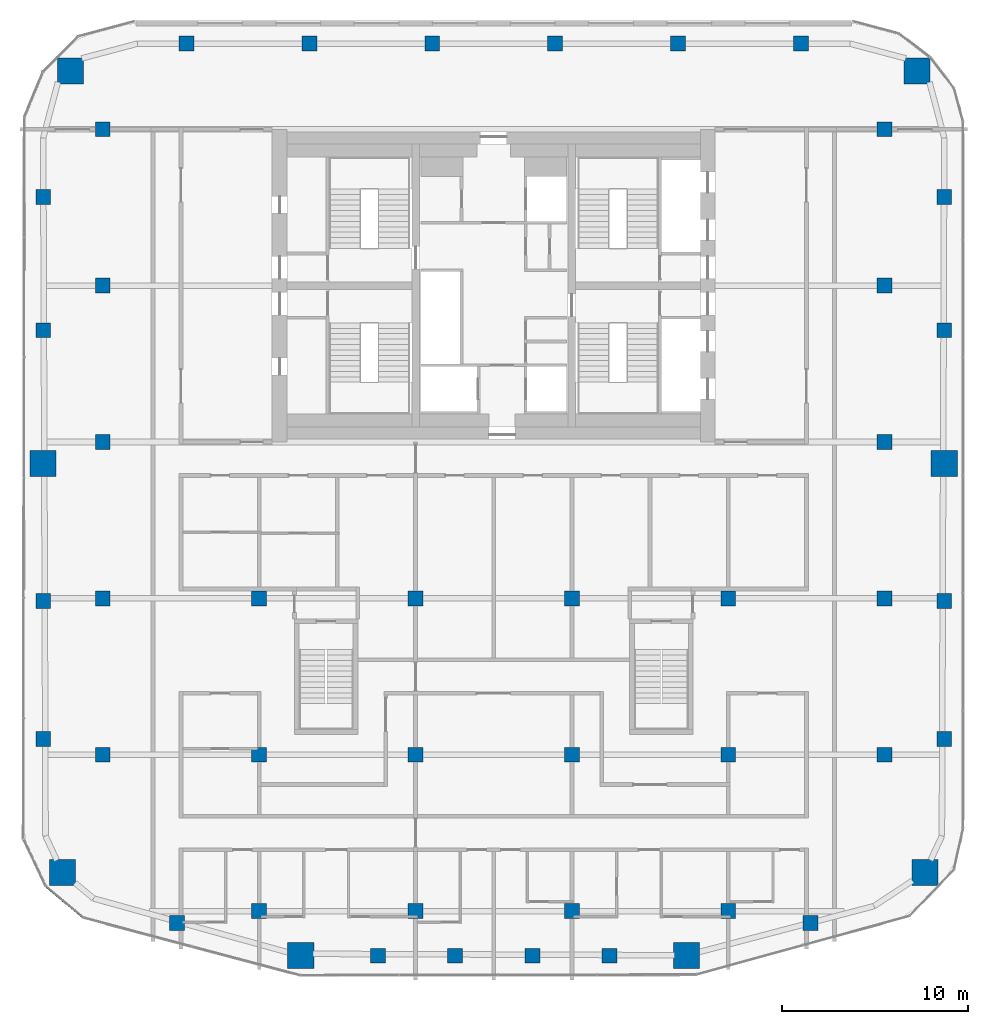
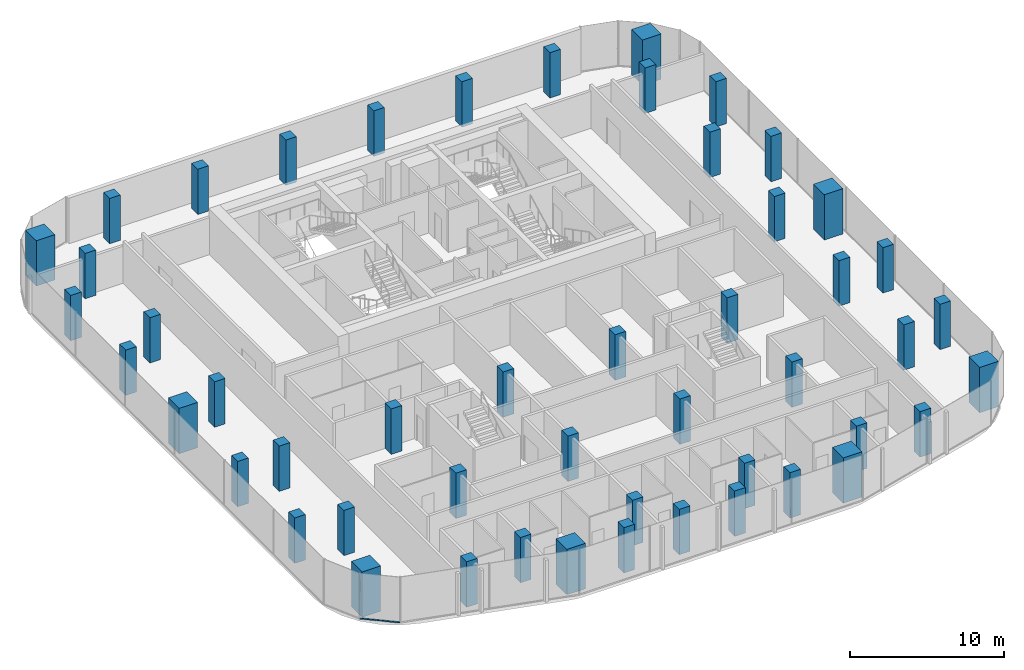
# One storey, part 1 of 20: 50 columns, 1 member, 1 element without a shape of its own.
"""IFC4 building model written with IfcOpenShell, lengths in metres."""

from ifc_helpers import new_model, si_unit, direction, frame, origin, origin_2d, place, context, subcontext, project, spatial, rectangle, extrude, material, layer, layer_set, material_profile, profile_set, type_object, element, aggregate, save


model = new_model("IFC4")

# Units and contexts
model_context = context("Model", 3, precision=1e-05, world=origin(), true_north=direction((0.0, 1.0)))
body_context = subcontext(model_context, "Body", "Model", "MODEL_VIEW")
ifc_project = project(units=[si_unit("LENGTHUNIT", "METRE"), si_unit("AREAUNIT", "SQUARE_METRE"), si_unit("VOLUMEUNIT", "CUBIC_METRE"), si_unit("PLANEANGLEUNIT", "RADIAN"), si_unit("MASSUNIT", "GRAM", prefix="KILO")], contexts=[model_context])

# Site, building, storey
site_placement = place(None, origin())
site = spatial("IfcSite", under=ifc_project, at=site_placement, CompositionType="ELEMENT")
building_placement = place(site_placement, origin())
building = spatial("IfcBuilding", under=site, at=building_placement, Name="Marenta Gate Hotel Tower", CompositionType="ELEMENT")
storey_placement = place(building_placement, frame((0.0, 0.0, 216.5)))
storey = spatial("IfcBuildingStorey", under=building, at=storey_placement, Name="L50", CompositionType="ELEMENT", Elevation=216.5)

# Columns
ifc_material_1 = material(Name="Concrete C60", Category="concrete")
ifc_material_profile_1 = material_profile(ifc_material_1, rectangle(XDim=0.800048828125, YDim=0.800048828125, at=origin_2d()), Name="800 x 800")
ifc_profile_set_1 = profile_set([ifc_material_profile_1], Name="Concrete C60")
column_type_1 = type_object("IfcColumnType", Name="Edge column 800 x 800 C60", PredefinedType="COLUMN", material=ifc_profile_set_1)
for number, where, z_axis, x_axis, name in (
    (1, (-24.199951171875, -15.951904296875, 0.0), (0.0, 0.0, 1.0), (1.0, 0.0, 0.0), "L50-EC-SW-W-1"),
    (2, (-24.199951171875, -8.55078125, 0.0), (0.0, 0.0, 1.0), (1.0, 0.0, 0.0), "L50-EC-SW-W-2"),
    (3, (-24.199951171875, 6.003173828125, 0.0), (0.0, 0.0, 1.0), (1.0, 0.0, 0.0), "L50-EC-W-NW-1"),
    (4, (-24.199951171875, 13.156494140625, 0.0), (0.0, 0.0, 1.0), (1.0, 0.0, 0.0), "L50-EC-W-NW-2"),
    (5, (-16.5068359375, 21.39990234375, 0.0), (0.0, 0.0, 1.0), (1.0, 0.0, 0.0), "L50-EC-NW-NE-1"),
    (6, (-9.904052734375, 21.39990234375, 0.0), (0.0, 0.0, 1.0), (1.0, 0.0, 0.0), "L50-EC-NW-NE-2"),
    (7, (-3.301513671875, 21.39990234375, 0.0), (0.0, 0.0, 1.0), (1.0, 0.0, 0.0), "L50-EC-NW-NE-3"),
    (8, (3.301513671875, 21.39990234375, 0.0), (0.0, 0.0, 1.0), (1.0, 0.0, 0.0), "L50-EC-NW-NE-4"),
    (9, (9.904052734375, 21.39990234375, 0.0), (0.0, 0.0, 1.0), (1.0, 0.0, 0.0), "L50-EC-NW-NE-5"),
    (10, (16.5068359375, 21.39990234375, 0.0), (0.0, 0.0, 1.0), (1.0, 0.0, 0.0), "L50-EC-NW-NE-6"),
    (11, (24.199951171875, 13.156494140625, 0.0), (0.0, 0.0, 1.0), (1.0, 0.0, 0.0), "L50-EC-NE-E-1"),
    (12, (24.199951171875, 6.003173828125, 0.0), (0.0, 0.0, 1.0), (1.0, 0.0, 0.0), "L50-EC-NE-E-2"),
    (13, (24.199951171875, -8.55078125, 0.0), (0.0, 0.0, 1.0), (1.0, 0.0, 0.0), "L50-EC-E-SE-1"),
    (14, (24.199951171875, -15.951904296875, 0.0), (0.0, 0.0, 1.0), (1.0, 0.0, 0.0), "L50-EC-E-SE-2"),
    (15, (17.0068359375, -25.839111328125, 0.0), (0.0, 0.0, 1.0), (1.0, 0.0, 0.0), "L50-EC-SE-SKE-1"),
    (16, (6.22021484375, -27.60009765625, 0.0), (0.0, 0.0, 1.0), (1.0, 0.0, 0.0), "L50-EC-SKE-SKW-1"),
    (17, (2.073486328125, -27.60009765625, 0.0), (0.0, 0.0, 1.0), (1.0, 0.0, 0.0), "L50-EC-SKE-SKW-2"),
    (18, (-2.073486328125, -27.60009765625, 0.0), (0.0, 0.0, 1.0), (1.0, 0.0, 0.0), "L50-EC-SKE-SKW-3"),
    (19, (-6.22021484375, -27.60009765625, 0.0), (0.0, 0.0, 1.0), (1.0, 0.0, 0.0), "L50-EC-SKE-SKW-4"),
    (20, (-17.0068359375, -25.839111328125, 0.0), (0.0, 0.0, 1.0), (1.0, 0.0, 0.0), "L50-EC-SKW-SW-1"),
):
    element("IfcColumn", number, at=place(storey_placement, frame(where, z_axis=z_axis, x_axis=x_axis)), inside=storey, type_object=column_type_1, Name=name, PredefinedType="COLUMN", context=body_context, shape_type="SweptSolid", body=[
        extrude(rectangle(XDim=0.800048828125, YDim=0.800048828125, at=origin_2d()), origin(), (0.0, 0.0, 1.0), 3.60009765625),
    ])
ifc_material_2 = material(Name="Concrete C60", Category="concrete")
ifc_material_profile_2 = material_profile(ifc_material_2, rectangle(XDim=0.800048828125, YDim=0.800048828125, at=origin_2d()), Name="800 x 800")
ifc_profile_set_2 = profile_set([ifc_material_profile_2], Name="Concrete C60")
column_type_2 = type_object("IfcColumnType", Name="Interior column 800 x 800 C60", PredefinedType="COLUMN", material=ifc_profile_set_2)
for number, where, z_axis, x_axis, name in (
    (21, (-21.0, -16.800048828125, 0.0), (0.0, 0.0, 1.0), (1.0, 0.0, 0.0), "L50-IC-4D"),
    (22, (-21.0, -8.39990234375, 0.0), (0.0, 0.0, 1.0), (1.0, 0.0, 0.0), "L50-IC-4E"),
    (23, (-21.0, 0.0, 0.0), (0.0, 0.0, 1.0), (1.0, 0.0, 0.0), "L50-IC-4F"),
    (24, (-21.0, 8.39990234375, 0.0), (0.0, 0.0, 1.0), (1.0, 0.0, 0.0), "L50-IC-4G"),
    (25, (-21.0, 16.800048828125, 0.0), (0.0, 0.0, 1.0), (1.0, 0.0, 0.0), "L50-IC-4H"),
    (26, (-12.60009765625, -25.199951171875, 0.0), (0.0, 0.0, 1.0), (1.0, 0.0, 0.0), "L50-IC-5C"),
    (27, (-12.60009765625, -16.800048828125, 0.0), (0.0, 0.0, 1.0), (1.0, 0.0, 0.0), "L50-IC-5D"),
    (28, (-12.60009765625, -8.39990234375, 0.0), (0.0, 0.0, 1.0), (1.0, 0.0, 0.0), "L50-IC-5E"),
    (29, (-4.199951171875, -25.199951171875, 0.0), (0.0, 0.0, 1.0), (1.0, 0.0, 0.0), "L50-IC-6C"),
    (30, (-4.199951171875, -16.800048828125, 0.0), (0.0, 0.0, 1.0), (1.0, 0.0, 0.0), "L50-IC-6D"),
    (31, (-4.199951171875, -8.39990234375, 0.0), (0.0, 0.0, 1.0), (1.0, 0.0, 0.0), "L50-IC-6E"),
    (32, (4.199951171875, -25.199951171875, 0.0), (0.0, 0.0, 1.0), (1.0, 0.0, 0.0), "L50-IC-7C"),
    (33, (4.199951171875, -16.800048828125, 0.0), (0.0, 0.0, 1.0), (1.0, 0.0, 0.0), "L50-IC-7D"),
    (34, (4.199951171875, -8.39990234375, 0.0), (0.0, 0.0, 1.0), (1.0, 0.0, 0.0), "L50-IC-7E"),
    (35, (12.60009765625, -25.199951171875, 0.0), (0.0, 0.0, 1.0), (1.0, 0.0, 0.0), "L50-IC-8C"),
    (36, (12.60009765625, -16.800048828125, 0.0), (0.0, 0.0, 1.0), (1.0, 0.0, 0.0), "L50-IC-8D"),
    (37, (12.60009765625, -8.39990234375, 0.0), (0.0, 0.0, 1.0), (1.0, 0.0, 0.0), "L50-IC-8E"),
    (38, (21.0, -16.800048828125, 0.0), (0.0, 0.0, 1.0), (1.0, 0.0, 0.0), "L50-IC-9D"),
    (39, (21.0, -8.39990234375, 0.0), (0.0, 0.0, 1.0), (1.0, 0.0, 0.0), "L50-IC-9E"),
    (40, (21.0, 0.0, 0.0), (0.0, 0.0, 1.0), (1.0, 0.0, 0.0), "L50-IC-9F"),
    (41, (21.0, 8.39990234375, 0.0), (0.0, 0.0, 1.0), (1.0, 0.0, 0.0), "L50-IC-9G"),
    (42, (21.0, 16.800048828125, 0.0), (0.0, 0.0, 1.0), (1.0, 0.0, 0.0), "L50-IC-9H"),
):
    element("IfcColumn", number, at=place(storey_placement, frame(where, z_axis=z_axis, x_axis=x_axis)), inside=storey, type_object=column_type_2, Name=name, PredefinedType="COLUMN", context=body_context, shape_type="SweptSolid", body=[
        extrude(rectangle(XDim=0.800048828125, YDim=0.800048828125, at=origin_2d()), origin(), (0.0, 0.0, 1.0), 3.60009765625),
    ])
ifc_material_3 = material(Name="Concrete C60", Category="concrete")
ifc_material_profile_3 = material_profile(ifc_material_3, rectangle(XDim=1.39990234375, YDim=1.39990234375, at=origin_2d()), Name="1400 x 1400")
ifc_profile_set_3 = profile_set([ifc_material_profile_3], Name="Concrete C60")
column_type_3 = type_object("IfcColumnType", Name="Mega column 1400 x 1400 C60", PredefinedType="COLUMN", material=ifc_profile_set_3)
for number, where, z_axis, x_axis, name in (
    (43, (-23.1630859375, -23.133056640625, 0.0), (0.0, 0.0, 1.0), (1.0, 0.0, 0.0), "L50-MC-SW"),
    (44, (-10.3662109375, -27.57470703125, 0.0), (0.0, 0.0, 1.0), (1.0, 0.0, 0.0), "L50-MC-SKW"),
    (45, (10.3662109375, -27.57470703125, 0.0), (0.0, 0.0, 1.0), (1.0, 0.0, 0.0), "L50-MC-SKE"),
    (46, (23.1630859375, -23.133056640625, 0.0), (0.0, 0.0, 1.0), (1.0, 0.0, 0.0), "L50-MC-SE"),
    (47, (24.199951171875, -1.14990234375, 0.0), (0.0, 0.0, 1.0), (1.0, 0.0, 0.0), "L50-MC-E"),
    (48, (22.735595703125, 19.935546875, 0.0), (0.0, 0.0, 1.0), (1.0, 0.0, 0.0), "L50-MC-NE"),
    (49, (-22.735595703125, 19.935546875, 0.0), (0.0, 0.0, 1.0), (1.0, 0.0, 0.0), "L50-MC-NW"),
    (50, (-24.199951171875, -1.14990234375, 0.0), (0.0, 0.0, 1.0), (1.0, 0.0, 0.0), "L50-MC-W"),
):
    element("IfcColumn", number, at=place(storey_placement, frame(where, z_axis=z_axis, x_axis=x_axis)), inside=storey, type_object=column_type_3, Name=name, PredefinedType="COLUMN", context=body_context, shape_type="SweptSolid", body=[
        extrude(rectangle(XDim=1.39990234375, YDim=1.39990234375, at=origin_2d()), origin(), (0.0, 0.0, 1.0), 3.60009765625),
    ])

# Curtain wall, member
ifc_material_4 = material(Name="Tinted insulated glass in bronze anodised frame", Category="glass")
ifc_layer = layer(ifc_material_4, 0.1201171875)
ifc_layer_set = layer_set([ifc_layer], Name="Tinted insulated glass in bronze anodised frame")
curtain_wall_type = type_object("IfcCurtainWallType", Name="Tower unitised curtain wall CW1", PredefinedType="NOTDEFINED", material=ifc_layer_set)
curtain_wall_placement = place(storey_placement, origin())
curtain_wall = element("IfcCurtainWall", 51, at=curtain_wall_placement, inside=storey, type_object=curtain_wall_type, Name="CW1 run G05", PredefinedType="NOTDEFINED")
ifc_material_5 = material(Name="Bronze anodised aluminium", Category="aluminium")
ifc_material_profile_4 = material_profile(ifc_material_5, rectangle(XDim=0.1201171875, YDim=0.06005859375, at=origin_2d()), Name="Transom CW1 60x120 bronze anodised aluminium")
ifc_profile_set_4 = profile_set([ifc_material_profile_4], Name="Bronze anodised aluminium")
member_type = type_object("IfcMemberType", Name="Transom CW1 60x120 bronze anodised aluminium", PredefinedType="USERDEFINED", material=ifc_profile_set_4)
member_placement = place(storey_placement, frame((-24.036865234375, -23.879150390625, 0.030029296875), z_axis=(0.767100312603, -0.641527170433, 0.0), x_axis=(0.641527170433, 0.767100312603, 0.0)))
member = element("IfcMember", 52, at=member_placement, type_object=member_type, Name="CW1 transom 1.1", ObjectType="TRANSOM", PredefinedType="USERDEFINED", context=body_context, shape_type="SweptSolid", body=[
    extrude(rectangle(XDim=0.1201171875, YDim=0.06005859375, at=origin_2d()), origin(), (0.0, 0.0, 1.0), 2.609130859375),
])
aggregate(curtain_wall, [member])

save(model, "model.ifc")
